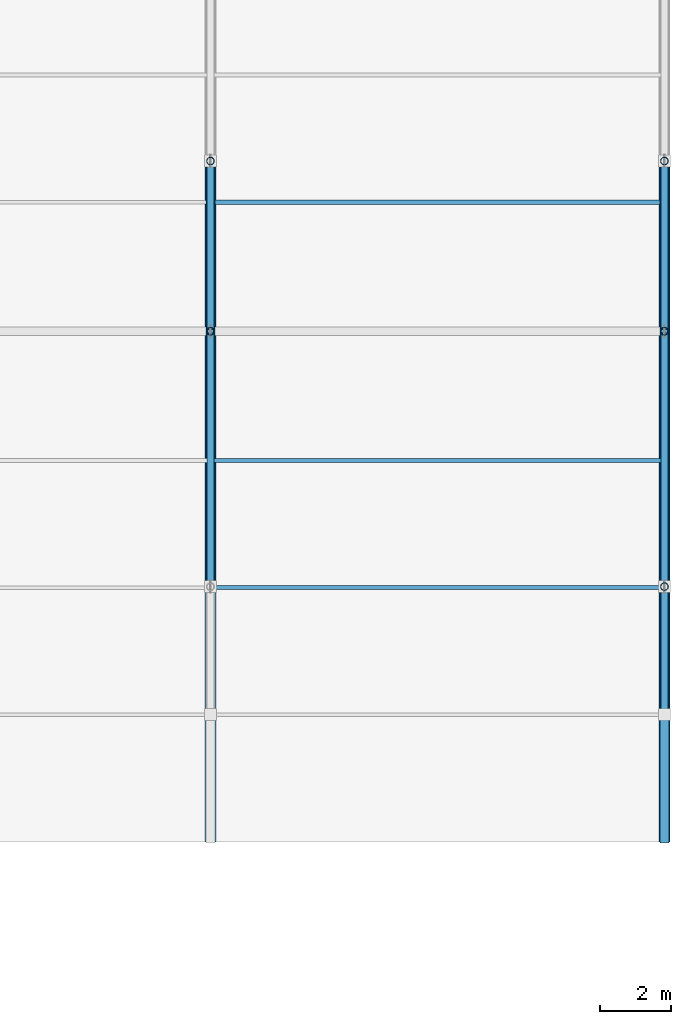
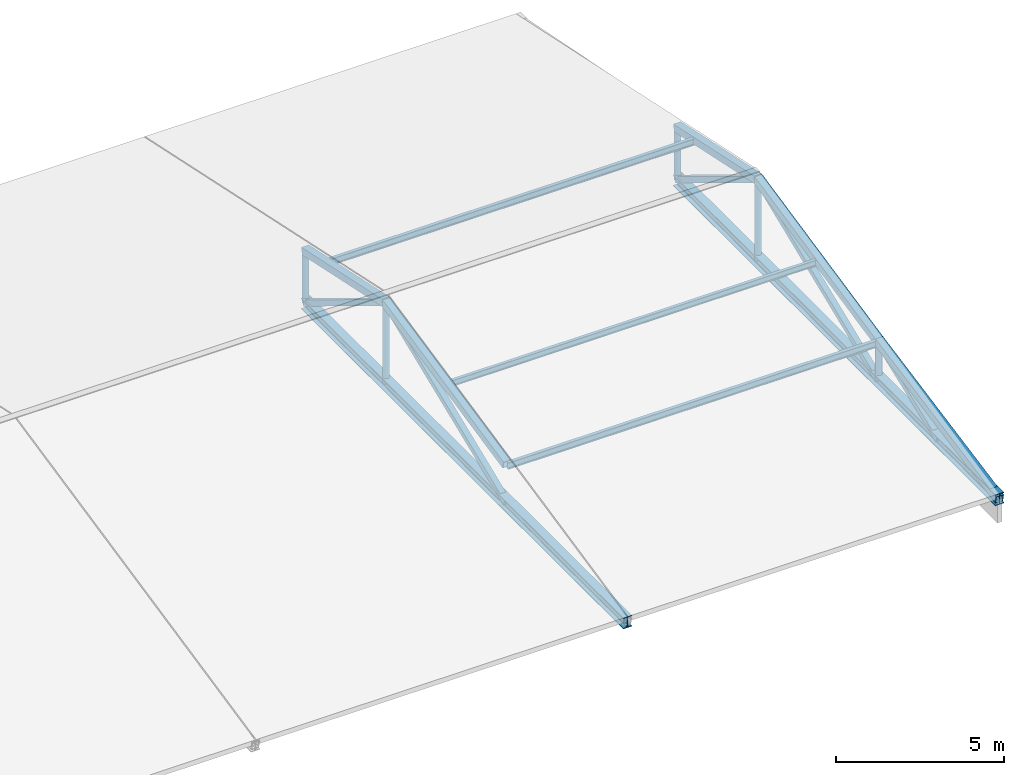
# One storey, part 36 of 61: 20 members.
"""IFC4 building model written with IfcOpenShell, lengths in metres."""

from ifc_helpers import new_model, si_unit, direction, frame, origin, origin_2d, place, context, subcontext, project, spatial, hollow_rectangle, hollow_circle, i_section, extrude, material, material_profile, profile_set, type_object, element, save


model = new_model("IFC4")

# Units and contexts
model_context = context("Model", 3, precision=1e-05, world=origin(), true_north=direction((0.0, 1.0)))
body_context = subcontext(model_context, "Body", "Model", "MODEL_VIEW")
ifc_project = project(units=[si_unit("LENGTHUNIT", "METRE"), si_unit("AREAUNIT", "SQUARE_METRE"), si_unit("VOLUMEUNIT", "CUBIC_METRE"), si_unit("PLANEANGLEUNIT", "RADIAN"), si_unit("MASSUNIT", "GRAM", prefix="KILO")], contexts=[model_context])

# Site, building, storey
site_placement = place(None, origin())
site = spatial("IfcSite", under=ifc_project, at=site_placement, CompositionType="ELEMENT")
building_placement = place(site_placement, origin())
building = spatial("IfcBuilding", under=site, at=building_placement, Name="Fikremerkos Civic Library", CompositionType="ELEMENT")
storey_placement = place(building_placement, frame((0.0, 0.0, 14.39990234375)))
storey = spatial("IfcBuildingStorey", under=building, at=storey_placement, Name="L03", CompositionType="ELEMENT", Elevation=14.39990234375)

# Members
ifc_material = material(Name="Steel S355", Category="steel")
ifc_material_profile_1 = material_profile(ifc_material, hollow_rectangle(XDim=0.199951171875, YDim=0.199951171875, WallThickness=0.010009765625, at=origin_2d()), Name="SHS 200x200x10")
ifc_profile_set_1 = profile_set([ifc_material_profile_1], Name="Steel S355")
member_type_1 = type_object("IfcMemberType", Name="Diagonal brace BRC-02 SHS 200x200x10", PredefinedType="BRACE", material=ifc_profile_set_1)
member_1_placement = place(storey_placement, frame((147.199951171875, 19.199951171875, 0.0), z_axis=(0.0, 0.926649649377, 0.375926092881), x_axis=(-1.0, 0.0, 0.0)))
element("IfcMember", 1, at=member_1_placement, inside=storey, type_object=member_type_1, Name="Auditorium roof truss diagonal web BRC-02 X=147.2 #2", PredefinedType="BRACE", context=body_context, shape_type="SweptSolid", body=[
    extrude(hollow_rectangle(XDim=0.199951171875, YDim=0.199951171875, WallThickness=0.010009765625, at=origin_2d()), origin(), (0.0, 0.0, 1.0), 7.769775390625),
])
member_2_placement = place(storey_placement, frame((147.199951171875, 31.199951171875, 0.0), z_axis=(0.0, -0.854267348714, 0.519833912823), x_axis=(1.0, 0.0, 0.0)))
element("IfcMember", 2, at=member_2_placement, inside=storey, type_object=member_type_1, Name="Auditorium roof truss diagonal web BRC-02 X=147.2 #3", PredefinedType="BRACE", context=body_context, shape_type="SweptSolid", body=[
    extrude(hollow_rectangle(XDim=0.199951171875, YDim=0.199951171875, WallThickness=0.010009765625, at=origin_2d()), origin(), (0.0, 0.0, 1.0), 5.618896484375),
])
member_3_placement = place(storey_placement, frame((160.0, 15.60009765625, 0.0), z_axis=(0.0, 0.93281795077, 0.360347985594), x_axis=(-1.0, 0.0, 0.0)))
element("IfcMember", 3, at=member_3_placement, inside=storey, type_object=member_type_1, Name="Auditorium roof truss diagonal web BRC-02 X=160.0 #1", PredefinedType="BRACE", context=body_context, shape_type="SweptSolid", body=[
    extrude(hollow_rectangle(XDim=0.199951171875, YDim=0.199951171875, WallThickness=0.010009765625, at=origin_2d()), origin(), (0.0, 0.0, 1.0), 3.859130859375),
])
member_4_placement = place(storey_placement, frame((160.0, 19.199951171875, 0.0), z_axis=(0.0, 0.926649649377, 0.375926092881), x_axis=(-1.0, 0.0, 0.0)))
element("IfcMember", 4, at=member_4_placement, inside=storey, type_object=member_type_1, Name="Auditorium roof truss diagonal web BRC-02 X=160.0 #2", PredefinedType="BRACE", context=body_context, shape_type="SweptSolid", body=[
    extrude(hollow_rectangle(XDim=0.199951171875, YDim=0.199951171875, WallThickness=0.010009765625, at=origin_2d()), origin(), (0.0, 0.0, 1.0), 7.769775390625),
])
member_5_placement = place(storey_placement, frame((160.0, 31.199951171875, 0.0), z_axis=(0.0, -0.854267348714, 0.519833912823), x_axis=(1.0, 0.0, 0.0)))
element("IfcMember", 5, at=member_5_placement, inside=storey, type_object=member_type_1, Name="Auditorium roof truss diagonal web BRC-02 X=160.0 #3", PredefinedType="BRACE", context=body_context, shape_type="SweptSolid", body=[
    extrude(hollow_rectangle(XDim=0.199951171875, YDim=0.199951171875, WallThickness=0.010009765625, at=origin_2d()), origin(), (0.0, 0.0, 1.0), 5.618896484375),
])
ifc_material_profile_2 = material_profile(ifc_material, hollow_circle(Radius=0.109619140625, WallThickness=0.010009765625, at=origin_2d()), Name="CHS 219.1x10")
ifc_profile_set_2 = profile_set([ifc_material_profile_2], Name="Steel S355")
member_type_2 = type_object("IfcMemberType", Name="Frame post PST-03 CHS 219.1x10", PredefinedType="POST", material=ifc_profile_set_2)
member_6_placement = place(storey_placement, frame((147.199951171875, 26.39990234375, 0.0), z_axis=(0.0, 0.0, 1.0), x_axis=(1.0, 0.0, 0.0)))
element("IfcMember", 6, at=member_6_placement, inside=storey, type_object=member_type_2, Name="Auditorium roof truss vertical web PST-03 X=147.2 #2", PredefinedType="POST", context=body_context, shape_type="SweptSolid", body=[
    extrude(hollow_circle(Radius=0.109619140625, WallThickness=0.010009765625, at=origin_2d()), origin(), (0.0, 0.0, 1.0), 2.9208984375),
])
member_7_placement = place(storey_placement, frame((147.199951171875, 31.199951171875, 0.0), z_axis=(0.0, 0.0, 1.0), x_axis=(1.0, 0.0, 0.0)))
element("IfcMember", 7, at=member_7_placement, inside=storey, type_object=member_type_2, Name="Auditorium roof truss vertical web PST-03 X=147.2 #3", PredefinedType="POST", context=body_context, shape_type="SweptSolid", body=[
    extrude(hollow_circle(Radius=0.109619140625, WallThickness=0.010009765625, at=origin_2d()), origin(), (0.0, 0.0, 1.0), 1.900634765625),
])
member_8_placement = place(storey_placement, frame((160.0, 19.199951171875, 0.0), z_axis=(0.0, 0.0, 1.0), x_axis=(1.0, 0.0, 0.0)))
element("IfcMember", 8, at=member_8_placement, inside=storey, type_object=member_type_2, Name="Auditorium roof truss vertical web PST-03 X=160.0 #1", PredefinedType="POST", context=body_context, shape_type="SweptSolid", body=[
    extrude(hollow_circle(Radius=0.109619140625, WallThickness=0.010009765625, at=origin_2d()), origin(), (0.0, 0.0, 1.0), 1.390625),
])
member_9_placement = place(storey_placement, frame((160.0, 26.39990234375, 0.0), z_axis=(0.0, 0.0, 1.0), x_axis=(1.0, 0.0, 0.0)))
element("IfcMember", 9, at=member_9_placement, inside=storey, type_object=member_type_2, Name="Auditorium roof truss vertical web PST-03 X=160.0 #2", PredefinedType="POST", context=body_context, shape_type="SweptSolid", body=[
    extrude(hollow_circle(Radius=0.109619140625, WallThickness=0.010009765625, at=origin_2d()), origin(), (0.0, 0.0, 1.0), 2.9208984375),
])
member_10_placement = place(storey_placement, frame((160.0, 31.199951171875, 0.0), z_axis=(0.0, 0.0, 1.0), x_axis=(1.0, 0.0, 0.0)))
element("IfcMember", 10, at=member_10_placement, inside=storey, type_object=member_type_2, Name="Auditorium roof truss vertical web PST-03 X=160.0 #3", PredefinedType="POST", context=body_context, shape_type="SweptSolid", body=[
    extrude(hollow_circle(Radius=0.109619140625, WallThickness=0.010009765625, at=origin_2d()), origin(), (0.0, 0.0, 1.0), 1.900634765625),
])
ifc_material_profile_3 = material_profile(ifc_material, i_section(OverallWidth=0.1201171875, OverallDepth=0.239990234375, WebThickness=0.006103515625, FlangeThickness=0.009765625, FilletRadius=0.014892578125, at=origin_2d()), Name="IPE 240")
ifc_profile_set_3 = profile_set([ifc_material_profile_3], Name="Steel S355")
member_type_3 = type_object("IfcMemberType", Name="Roof purlin PUR-01 IPE 240", PredefinedType="PURLIN", material=ifc_profile_set_3)
for number, where, z_axis, x_axis, name in (
    (11, (147.199951171875, 19.172607421875, 1.35546875), (1.0, 0.0, 0.0), (0.0, 1.0, 0.0), "Roof purlin PUR-01 V3 bay 3.1.2"),
    (12, (147.199951171875, 30.041259765625, 2.120849609375), (1.0, 0.0, 0.0), (0.0, 1.0, 0.0), "Roof purlin PUR-01 V3 bay 3.2.1"),
):
    element("IfcMember", number, at=place(storey_placement, frame(where, z_axis=z_axis, x_axis=x_axis)), inside=storey, type_object=member_type_3, Name=name, PredefinedType="PURLIN", context=body_context, shape_type="SweptSolid", body=[
        extrude(i_section(OverallWidth=0.1201171875, OverallDepth=0.239990234375, WebThickness=0.006103515625, FlangeThickness=0.009765625, FilletRadius=0.014892578125, at=origin_2d()), origin(), (0.0, 0.0, 1.0), 12.800048828125),
    ])
ifc_material_profile_4 = material_profile(ifc_material, i_section(OverallWidth=0.110107421875, OverallDepth=0.219970703125, WebThickness=0.005859375, FlangeThickness=0.00927734375, FilletRadius=0.011962890625, at=origin_2d()), Name="IPE 220")
ifc_profile_set_4 = profile_set([ifc_material_profile_4], Name="Steel S355")
member_type_4 = type_object("IfcMemberType", Name="Roof purlin PUR-02 IPE 220", PredefinedType="PURLIN", material=ifc_profile_set_4)
member_11_placement = place(storey_placement, frame((147.199951171875, 22.7587890625, 2.130859375), z_axis=(1.0, 0.0, 0.0), x_axis=(0.0, 1.0, 0.0)))
element("IfcMember", 13, at=member_11_placement, inside=storey, type_object=member_type_4, Name="Roof purlin PUR-02 V3 bay 3.1.3", PredefinedType="PURLIN", context=body_context, shape_type="SweptSolid", body=[
    extrude(i_section(OverallWidth=0.110107421875, OverallDepth=0.219970703125, WebThickness=0.005859375, FlangeThickness=0.00927734375, FilletRadius=0.011962890625, at=origin_2d()), origin(), (0.0, 0.0, 1.0), 12.800048828125),
])
ifc_material_profile_5 = material_profile(ifc_material, i_section(OverallWidth=0.300048828125, OverallDepth=0.39990234375, WebThickness=0.013427734375, FlangeThickness=0.02392578125, FilletRadius=0.027099609375, at=origin_2d()), Name="HEB 400")
ifc_profile_set_5 = profile_set([ifc_material_profile_5], Name="Steel S355")
member_type_5 = type_object("IfcMemberType", Name="Truss chord CHD-01 HEB 400", PredefinedType="CHORD", material=ifc_profile_set_5)
for number, where, z_axis, x_axis, name in (
    (14, (147.199951171875, 12.0, 0.0), (0.0, 1.0, 0.0), (-1.0, 0.0, 0.0), "Auditorium roof truss bottom chord CHD-01 X=147.2 #1"),
    (15, (160.0, 12.0, 0.0), (0.0, 1.0, 0.0), (-1.0, 0.0, 0.0), "Auditorium roof truss bottom chord CHD-01 X=160.0 #1"),
):
    element("IfcMember", number, at=place(storey_placement, frame(where, z_axis=z_axis, x_axis=x_axis)), inside=storey, type_object=member_type_5, Name=name, PredefinedType="CHORD", context=body_context, shape_type="SweptSolid", body=[
        extrude(i_section(OverallWidth=0.300048828125, OverallDepth=0.39990234375, WebThickness=0.013427734375, FlangeThickness=0.02392578125, FilletRadius=0.027099609375, at=origin_2d()), origin(), (0.0, 0.0, 1.0), 19.199951171875),
    ])
ifc_material_profile_6 = material_profile(ifc_material, hollow_rectangle(XDim=0.260009765625, YDim=0.260009765625, WallThickness=0.01416015625, at=origin_2d()), Name="SHS 260x260x14.2")
ifc_profile_set_6 = profile_set([ifc_material_profile_6], Name="Steel S355")
member_type_6 = type_object("IfcMemberType", Name="Truss chord CHD-03 SHS 260x260x14.2", PredefinedType="CHORD", material=ifc_profile_set_6)
member_12_placement = place(storey_placement, frame((147.199951171875, 19.199951171875, 1.390625), z_axis=(0.0, 0.978151010745, 0.207895647328), x_axis=(-1.0, 0.0, 0.0)))
element("IfcMember", 16, at=member_12_placement, inside=storey, type_object=member_type_6, Name="Auditorium roof truss top chord CHD-03 X=147.2 #2", PredefinedType="CHORD", context=body_context, shape_type="SweptSolid", body=[
    extrude(hollow_rectangle(XDim=0.260009765625, YDim=0.260009765625, WallThickness=0.01416015625, at=origin_2d()), origin(), (0.0, 0.0, 1.0), 7.36083984375),
])
member_13_placement = place(storey_placement, frame((147.199951171875, 26.39990234375, 2.9208984375), z_axis=(0.0, 0.978148355094, -0.2079081418), x_axis=(-1.0, 0.0, 0.0)))
element("IfcMember", 17, at=member_13_placement, inside=storey, type_object=member_type_6, Name="Auditorium roof truss top chord CHD-03 X=147.2 #3", PredefinedType="CHORD", context=body_context, shape_type="SweptSolid", body=[
    extrude(hollow_rectangle(XDim=0.260009765625, YDim=0.260009765625, WallThickness=0.01416015625, at=origin_2d()), origin(), (0.0, 0.0, 1.0), 4.9072265625),
])
member_14_placement = place(storey_placement, frame((160.0, 12.0, 0.0), z_axis=(0.0, 0.981853909493, 0.189638868416), x_axis=(-1.0, 0.0, 0.0)))
element("IfcMember", 18, at=member_14_placement, inside=storey, type_object=member_type_6, Name="Auditorium roof truss top chord CHD-03 X=160.0 #1", PredefinedType="CHORD", context=body_context, shape_type="SweptSolid", body=[
    extrude(hollow_rectangle(XDim=0.260009765625, YDim=0.260009765625, WallThickness=0.01416015625, at=origin_2d()), origin(), (0.0, 0.0, 1.0), 7.3330078125),
])
member_15_placement = place(storey_placement, frame((160.0, 19.199951171875, 1.390625), z_axis=(0.0, 0.978151010745, 0.207895647328), x_axis=(-1.0, 0.0, 0.0)))
element("IfcMember", 19, at=member_15_placement, inside=storey, type_object=member_type_6, Name="Auditorium roof truss top chord CHD-03 X=160.0 #2", PredefinedType="CHORD", context=body_context, shape_type="SweptSolid", body=[
    extrude(hollow_rectangle(XDim=0.260009765625, YDim=0.260009765625, WallThickness=0.01416015625, at=origin_2d()), origin(), (0.0, 0.0, 1.0), 7.36083984375),
])
member_16_placement = place(storey_placement, frame((160.0, 26.39990234375, 2.9208984375), z_axis=(0.0, 0.978148355094, -0.2079081418), x_axis=(-1.0, 0.0, 0.0)))
element("IfcMember", 20, at=member_16_placement, inside=storey, type_object=member_type_6, Name="Auditorium roof truss top chord CHD-03 X=160.0 #3", PredefinedType="CHORD", context=body_context, shape_type="SweptSolid", body=[
    extrude(hollow_rectangle(XDim=0.260009765625, YDim=0.260009765625, WallThickness=0.01416015625, at=origin_2d()), origin(), (0.0, 0.0, 1.0), 4.9072265625),
])

save(model, "model.ifc")
